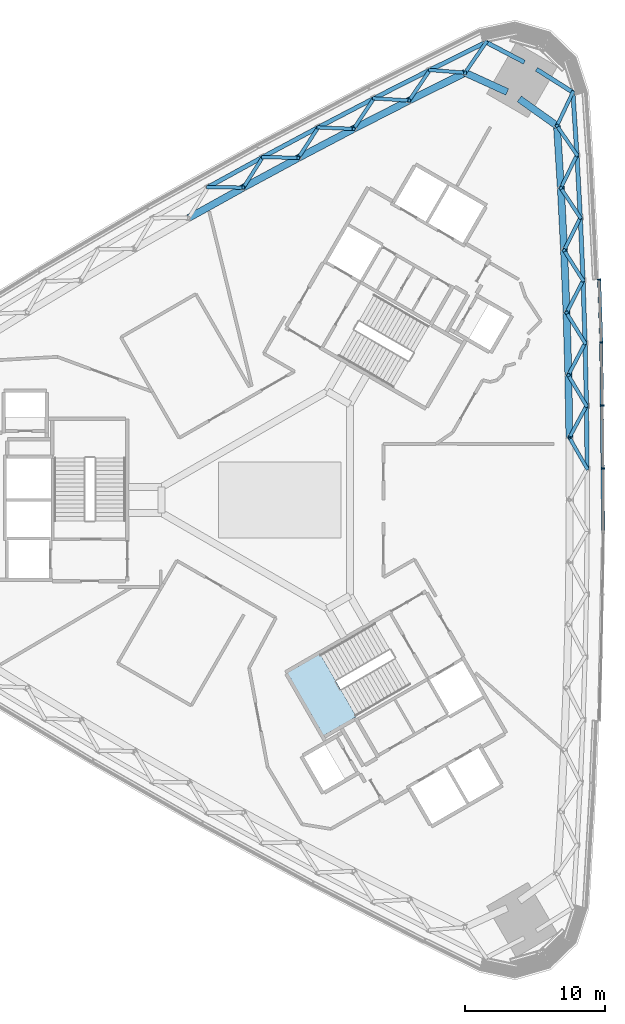
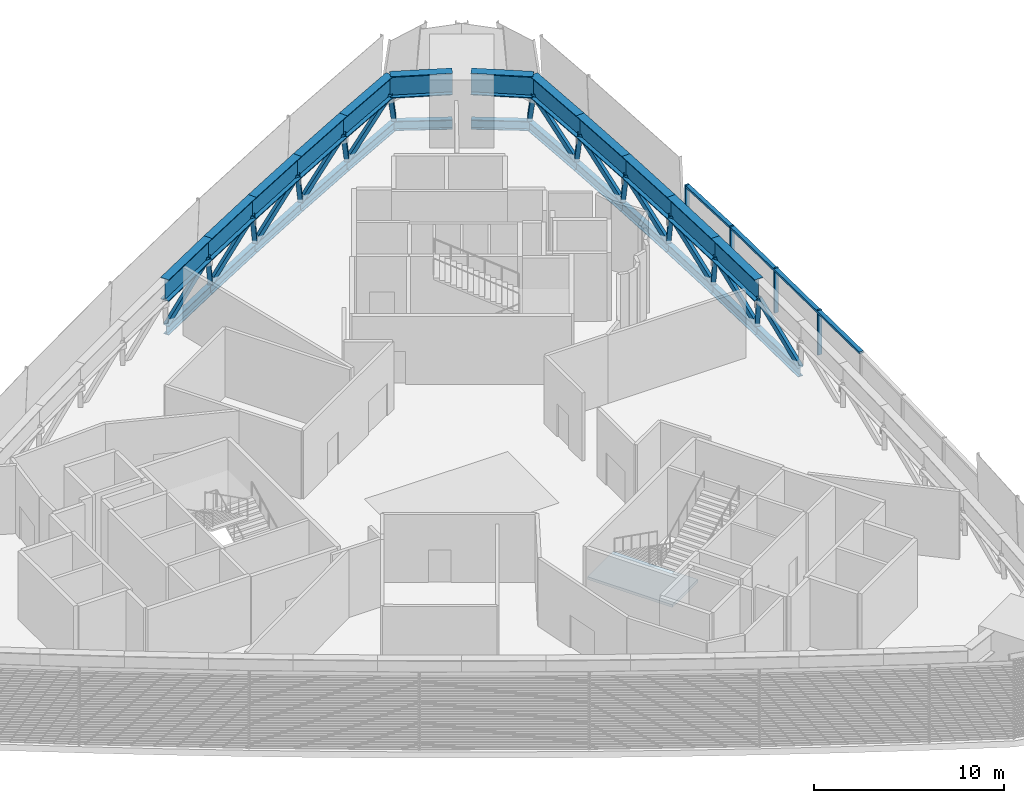
# One storey, part 4 of 19: 28 members, 25 beams, 1 slab, 2 elements without a shape of their own.
"""IFC4 building model written with IfcOpenShell, lengths in metres."""

from ifc_helpers import new_model, si_unit, direction, frame, origin, origin_2d, place, context, subcontext, project, spatial, polyline, rectangle, hollow_rectangle, i_section, outline, extrude, material, layer, layer_set, material_profile, profile_set, type_object, element, aggregate, save


model = new_model("IFC4")

# Units and contexts
model_context = context("Model", 3, precision=1e-05, world=origin(), true_north=direction((0.0, 1.0)))
body_context = subcontext(model_context, "Body", "Model", "MODEL_VIEW")
ifc_project = project(units=[si_unit("LENGTHUNIT", "METRE"), si_unit("AREAUNIT", "SQUARE_METRE"), si_unit("VOLUMEUNIT", "CUBIC_METRE"), si_unit("PLANEANGLEUNIT", "RADIAN"), si_unit("MASSUNIT", "GRAM", prefix="KILO")], contexts=[model_context])

# Site, building, storey
site_placement = place(None, origin())
site = spatial("IfcSite", under=ifc_project, at=site_placement, CompositionType="ELEMENT")
building_placement = place(site_placement, origin())
building = spatial("IfcBuilding", under=site, at=building_placement, Name="Tamra Quay Hotel Tower", CompositionType="ELEMENT")
storey_placement = place(building_placement, frame((0.0, 0.0, 74.60009765625)))
storey = spatial("IfcBuildingStorey", under=building, at=storey_placement, Name="L17", CompositionType="ELEMENT", Elevation=74.60009765625)

# Members
ifc_material_1 = material(Name="Structural steel IS 2062 E350", Category="steel")
ifc_material_profile_1 = material_profile(ifc_material_1, hollow_rectangle(XDim=0.25, YDim=0.25, WallThickness=0.010009765625, at=origin_2d()), Name="SHS 250x250x10")
ifc_profile_set_1 = profile_set([ifc_material_profile_1], Name="Structural steel IS 2062 E350")
member_type_1 = type_object("IfcMemberType", Name="BELT BRACE SHS 250x250x10 Z1", PredefinedType="BRACE", material=ifc_profile_set_1)
member_1_placement = place(storey_placement, frame((21.894287109375, 2.2353515625, -0.400146484375), z_axis=(-0.29001438183, 0.50825525863, 0.810905820923), x_axis=(-0.868550087417, -0.495601397947, 0.0)))
element("IfcMember", 1, at=member_1_placement, inside=storey, type_object=member_type_1, Name="BR-L17-014", PredefinedType="BRACE", context=body_context, shape_type="SweptSolid", body=[
    extrude(hollow_rectangle(XDim=0.25, YDim=0.25, WallThickness=0.010009765625, at=origin_2d()), origin(), (0.0, 0.0, 1.0), 4.34716796875),
])
member_2_placement = place(storey_placement, frame((21.845947265625, 6.70556640625, -0.400146484375), z_axis=(-0.278089055665, -0.518547051038, 0.808563808848), x_axis=(0.881270491387, -0.472612231126, 0.0)))
element("IfcMember", 2, at=member_2_placement, inside=storey, type_object=member_type_1, Name="BR-L17-015", PredefinedType="BRACE", context=body_context, shape_type="SweptSolid", body=[
    extrude(hollow_rectangle(XDim=0.25, YDim=0.25, WallThickness=0.010009765625, at=origin_2d()), origin(), (0.0, 0.0, 1.0), 4.35986328125),
])
member_3_placement = place(storey_placement, frame((21.845947265625, 6.70556640625, -0.400146484375), z_axis=(-0.296760826542, 0.50282911553, 0.811847210012), x_axis=(-0.861200552593, -0.508265293144, 0.0)))
element("IfcMember", 3, at=member_3_placement, inside=storey, type_object=member_type_1, Name="BR-L17-016", PredefinedType="BRACE", context=body_context, shape_type="SweptSolid", body=[
    extrude(hollow_rectangle(XDim=0.25, YDim=0.25, WallThickness=0.010009765625, at=origin_2d()), origin(), (0.0, 0.0, 1.0), 4.342041015625),
])
member_4_placement = place(storey_placement, frame((21.7490234375, 11.17431640625, -0.400146484375), z_axis=(-0.272882971631, -0.523347161941, 0.807243849083), x_axis=(0.88670135679, -0.462342626054, 0.0)))
element("IfcMember", 4, at=member_4_placement, inside=storey, type_object=member_type_1, Name="BR-L17-017", PredefinedType="BRACE", context=body_context, shape_type="SweptSolid", body=[
    extrude(hollow_rectangle(XDim=0.25, YDim=0.25, WallThickness=0.010009765625, at=origin_2d()), origin(), (0.0, 0.0, 1.0), 4.366943359375),
])
member_5_placement = place(storey_placement, frame((21.7490234375, 11.17431640625, -0.400146484375), z_axis=(-0.303951163752, 0.497318354763, 0.812581161528), x_axis=(-0.853255578319, -0.521492970295, 0.0)))
element("IfcMember", 5, at=member_5_placement, inside=storey, type_object=member_type_1, Name="BR-L17-018", PredefinedType="BRACE", context=body_context, shape_type="SweptSolid", body=[
    extrude(hollow_rectangle(XDim=0.25, YDim=0.25, WallThickness=0.010009765625, at=origin_2d()), origin(), (0.0, 0.0, 1.0), 4.338134765625),
])
member_6_placement = place(storey_placement, frame((21.60400390625, 15.642578125, -0.400146484375), z_axis=(-0.268226137414, -0.528138213153, 0.805682795532), x_axis=(0.891602412155, -0.452819101451, 0.0)))
element("IfcMember", 6, at=member_6_placement, inside=storey, type_object=member_type_1, Name="BR-L17-019", PredefinedType="BRACE", context=body_context, shape_type="SweptSolid", body=[
    extrude(hollow_rectangle(XDim=0.25, YDim=0.25, WallThickness=0.010009765625, at=origin_2d()), origin(), (0.0, 0.0, 1.0), 4.375244140625),
])
member_7_placement = place(storey_placement, frame((21.60400390625, 15.642578125, -0.400146484375), z_axis=(-0.311671830578, 0.491499831126, 0.81319652362), x_axis=(-0.844517118133, -0.535528558697, 0.0)))
element("IfcMember", 7, at=member_7_placement, inside=storey, type_object=member_type_1, Name="BR-L17-020", PredefinedType="BRACE", context=body_context, shape_type="SweptSolid", body=[
    extrude(hollow_rectangle(XDim=0.25, YDim=0.25, WallThickness=0.010009765625, at=origin_2d()), origin(), (0.0, 0.0, 1.0), 4.3349609375),
])
member_8_placement = place(storey_placement, frame((21.410400390625, 20.10888671875, -0.400146484375), z_axis=(-0.264005093933, -0.532743457848, 0.804043356106), x_axis=(0.896013686548, -0.444026433357, 0.0)))
element("IfcMember", 8, at=member_8_placement, inside=storey, type_object=member_type_1, Name="BR-L17-021", PredefinedType="BRACE", context=body_context, shape_type="SweptSolid", body=[
    extrude(hollow_rectangle(XDim=0.25, YDim=0.25, WallThickness=0.010009765625, at=origin_2d()), origin(), (0.0, 0.0, 1.0), 4.38427734375),
])
member_9_placement = place(storey_placement, frame((21.410400390625, 20.10888671875, -0.400146484375), z_axis=(-0.319796440326, 0.485470719543, 0.813663577421), x_axis=(-0.835094837295, -0.550106001352, 0.0)))
element("IfcMember", 9, at=member_9_placement, inside=storey, type_object=member_type_1, Name="BR-L17-022", PredefinedType="BRACE", context=body_context, shape_type="SweptSolid", body=[
    extrude(hollow_rectangle(XDim=0.25, YDim=0.25, WallThickness=0.010009765625, at=origin_2d()), origin(), (0.0, 0.0, 1.0), 4.33251953125),
])
member_10_placement = place(storey_placement, frame((21.168701171875, 24.572509765625, -0.400146484375), z_axis=(-0.260316277706, -0.537190559843, 0.80228532205), x_axis=(0.899905991628, -0.436083944019, 0.0)))
element("IfcMember", 10, at=member_10_placement, inside=storey, type_object=member_type_1, Name="BR-L17-023", PredefinedType="BRACE", context=body_context, shape_type="SweptSolid", body=[
    extrude(hollow_rectangle(XDim=0.25, YDim=0.25, WallThickness=0.010009765625, at=origin_2d()), origin(), (0.0, 0.0, 1.0), 4.393798828125),
])
member_11_placement = place(storey_placement, frame((21.168701171875, 24.572509765625, -0.400146484375), z_axis=(-0.328390852776, 0.479340166839, 0.813874961077), x_axis=(-0.824969227405, -0.565177648032, 0.0)))
element("IfcMember", 11, at=member_11_placement, inside=storey, type_object=member_type_1, Name="BR-L17-024", PredefinedType="BRACE", context=body_context, shape_type="SweptSolid", body=[
    extrude(hollow_rectangle(XDim=0.25, YDim=0.25, WallThickness=0.010009765625, at=origin_2d()), origin(), (0.0, 0.0, 1.0), 4.331298828125),
])
member_12_placement = place(storey_placement, frame((20.87890625, 29.033935546875, -0.400146484375), z_axis=(-0.257144319903, -0.541560682357, 0.800367931683), x_axis=(0.903340203843, -0.42892479075, 0.0)))
element("IfcMember", 12, at=member_12_placement, inside=storey, type_object=member_type_1, Name="BR-L17-025", PredefinedType="BRACE", context=body_context, shape_type="SweptSolid", body=[
    extrude(hollow_rectangle(XDim=0.25, YDim=0.25, WallThickness=0.010009765625, at=origin_2d()), origin(), (0.0, 0.0, 1.0), 4.404296875),
])
member_13_placement = place(storey_placement, frame((14.70458984375, 32.5986328125, -0.400146484375), z_axis=(-0.340449577569, -0.493491141176, 0.800350285009), x_axis=(0.823126355964, -0.567858258826, 0.0)))
element("IfcMember", 13, at=member_13_placement, inside=storey, type_object=member_type_1, Name="BR-L17-026", PredefinedType="BRACE", context=body_context, shape_type="SweptSolid", body=[
    extrude(hollow_rectangle(XDim=0.25, YDim=0.25, WallThickness=0.010009765625, at=origin_2d()), origin(), (0.0, 0.0, 1.0), 4.404541015625),
])
member_14_placement = place(storey_placement, frame((10.69580078125, 30.618896484375, -0.400146484375), z_axis=(0.579327387241, -0.044754421626, 0.813865357499), x_axis=(0.077022891976, 0.9970293246, 0.0)))
element("IfcMember", 14, at=member_14_placement, inside=storey, type_object=member_type_1, Name="BR-L17-027", PredefinedType="BRACE", context=body_context, shape_type="SweptSolid", body=[
    extrude(hollow_rectangle(XDim=0.25, YDim=0.25, WallThickness=0.010009765625, at=origin_2d()), origin(), (0.0, 0.0, 1.0), 4.331298828125),
])
member_15_placement = place(storey_placement, frame((10.69580078125, 30.618896484375, -0.400146484375), z_axis=(-0.335004707803, -0.494033315156, 0.802310992862), x_axis=(0.827656462871, -0.561235048324, 0.0)))
element("IfcMember", 15, at=member_15_placement, inside=storey, type_object=member_type_1, Name="BR-L17-028", PredefinedType="BRACE", context=body_context, shape_type="SweptSolid", body=[
    extrude(hollow_rectangle(XDim=0.25, YDim=0.25, WallThickness=0.010009765625, at=origin_2d()), origin(), (0.0, 0.0, 1.0), 4.393798828125),
])
member_16_placement = place(storey_placement, frame((6.709716796875, 28.596435546875, -0.400146484375), z_axis=(0.580316870168, -0.034205898251, 0.813672100249), x_axis=(0.058841355531, 0.998267346395, 0.0)))
element("IfcMember", 16, at=member_16_placement, inside=storey, type_object=member_type_1, Name="BR-L17-029", PredefinedType="BRACE", context=body_context, shape_type="SweptSolid", body=[
    extrude(hollow_rectangle(XDim=0.25, YDim=0.25, WallThickness=0.010009765625, at=origin_2d()), origin(), (0.0, 0.0, 1.0), 4.332275390625),
])
member_17_placement = place(storey_placement, frame((6.709716796875, 28.596435546875, -0.400146484375), z_axis=(-0.32938144953, -0.494990989835, 0.804047125912), x_axis=(0.832525482827, -0.553986751144, 0.0)))
element("IfcMember", 17, at=member_17_placement, inside=storey, type_object=member_type_1, Name="BR-L17-030", PredefinedType="BRACE", context=body_context, shape_type="SweptSolid", body=[
    extrude(hollow_rectangle(XDim=0.25, YDim=0.25, WallThickness=0.010009765625, at=origin_2d()), origin(), (0.0, 0.0, 1.0), 4.38427734375),
])
member_18_placement = place(storey_placement, frame((2.744873046875, 26.53076171875, -0.400146484375), z_axis=(0.581495429575, -0.024104604732, 0.813192494686), x_axis=(0.041417215486, 0.999141938996, 0.0)))
element("IfcMember", 18, at=member_18_placement, inside=storey, type_object=member_type_1, Name="BR-L17-031", PredefinedType="BRACE", context=body_context, shape_type="SweptSolid", body=[
    extrude(hollow_rectangle(XDim=0.25, YDim=0.25, WallThickness=0.010009765625, at=origin_2d()), origin(), (0.0, 0.0, 1.0), 4.3349609375),
])
member_19_placement = place(storey_placement, frame((2.744873046875, 26.53076171875, -0.400146484375), z_axis=(-0.323259818665, -0.496301195789, 0.805722168427), x_axis=(0.837930952009, -0.545776254215, 0.0)))
element("IfcMember", 19, at=member_19_placement, inside=storey, type_object=member_type_1, Name="BR-L17-032", PredefinedType="BRACE", context=body_context, shape_type="SweptSolid", body=[
    extrude(hollow_rectangle(XDim=0.25, YDim=0.25, WallThickness=0.010009765625, at=origin_2d()), origin(), (0.0, 0.0, 1.0), 4.375244140625),
])
member_20_placement = place(storey_placement, frame((-1.197265625, 24.422607421875, -0.400146484375), z_axis=(0.582681978095, -0.014575490856, 0.812569546235), x_axis=(0.025006664736, 0.999687284464, 0.0)))
element("IfcMember", 20, at=member_20_placement, inside=storey, type_object=member_type_1, Name="BR-L17-033", PredefinedType="BRACE", context=body_context, shape_type="SweptSolid", body=[
    extrude(hollow_rectangle(XDim=0.25, YDim=0.25, WallThickness=0.010009765625, at=origin_2d()), origin(), (0.0, 0.0, 1.0), 4.33837890625),
])
member_21_placement = place(storey_placement, frame((-1.197265625, 24.422607421875, -0.400146484375), z_axis=(-0.316818656368, -0.498009633126, 0.807225088988), x_axis=(0.843735581516, -0.536759041362, 0.0)))
element("IfcMember", 21, at=member_21_placement, inside=storey, type_object=member_type_1, Name="BR-L17-034", PredefinedType="BRACE", context=body_context, shape_type="SweptSolid", body=[
    extrude(hollow_rectangle(XDim=0.25, YDim=0.25, WallThickness=0.010009765625, at=origin_2d()), origin(), (0.0, 0.0, 1.0), 4.366943359375),
])
member_22_placement = place(storey_placement, frame((-5.11572265625, 22.27197265625, -0.400146484375), z_axis=(0.583811205804, -0.005566532734, 0.811870365078), x_axis=(0.009534383138, 0.999954546736, 0.0)))
element("IfcMember", 22, at=member_22_placement, inside=storey, type_object=member_type_1, Name="BR-L17-035", PredefinedType="BRACE", context=body_context, shape_type="SweptSolid", body=[
    extrude(hollow_rectangle(XDim=0.25, YDim=0.25, WallThickness=0.010009765625, at=origin_2d()), origin(), (0.0, 0.0, 1.0), 4.342041015625),
])

# Beams
ifc_material_profile_2 = material_profile(ifc_material_1, i_section(OverallWidth=0.304931640625, OverallDepth=0.6201171875, WebThickness=0.02099609375, FlangeThickness=0.0400390625, at=origin_2d()), Name="WPB 600x300x285")
ifc_profile_set_2 = profile_set([ifc_material_profile_2], Name="Structural steel IS 2062 E350")
beam_type_1 = type_object("IfcBeamType", Name="BELT CHORD WPB 600x300x285 Z1", PredefinedType="BEAM", material=ifc_profile_set_2)
beam_1_placement = place(storey_placement, frame((21.894287109375, 2.2353515625, -0.710205078125), z_axis=(-0.010813130759, 0.999941536393, 0.0), x_axis=(-0.999941536393, -0.010813130759, 0.0)))
element("IfcBeam", 23, at=beam_1_placement, inside=storey, type_object=beam_type_1, Name="BM-CHB-L17-007", PredefinedType="BEAM", context=body_context, shape_type="SweptSolid", body=[
    extrude(i_section(OverallWidth=0.304931640625, OverallDepth=0.6201171875, WebThickness=0.02099609375, FlangeThickness=0.0400390625, at=origin_2d()), origin(), (0.0, 0.0, 1.0), 4.470458984375),
])
beam_2_placement = place(storey_placement, frame((21.845947265625, 6.70556640625, -0.710205078125), z_axis=(-0.021684148485, 0.999764871209, 0.0), x_axis=(-0.999764871209, -0.021684148485, 0.0)))
element("IfcBeam", 24, at=beam_2_placement, inside=storey, type_object=beam_type_1, Name="BM-CHB-L17-008", PredefinedType="BEAM", context=body_context, shape_type="SweptSolid", body=[
    extrude(i_section(OverallWidth=0.304931640625, OverallDepth=0.6201171875, WebThickness=0.02099609375, FlangeThickness=0.0400390625, at=origin_2d()), origin(), (0.0, 0.0, 1.0), 4.4697265625),
])
beam_3_placement = place(storey_placement, frame((21.7490234375, 11.17431640625, -0.710205078125), z_axis=(-0.032438389234, 0.999473736976, 0.0), x_axis=(-0.999473736976, -0.032438389234, 0.0)))
element("IfcBeam", 25, at=beam_3_placement, inside=storey, type_object=beam_type_1, Name="BM-CHB-L17-009", PredefinedType="BEAM", context=body_context, shape_type="SweptSolid", body=[
    extrude(i_section(OverallWidth=0.304931640625, OverallDepth=0.6201171875, WebThickness=0.02099609375, FlangeThickness=0.0400390625, at=origin_2d()), origin(), (0.0, 0.0, 1.0), 4.470703125),
])
beam_4_placement = place(storey_placement, frame((21.60400390625, 15.642578125, -0.710205078125), z_axis=(-0.043306877716, 0.999061817078, 0.0), x_axis=(-0.999061817078, -0.043306877716, 0.0)))
element("IfcBeam", 26, at=beam_4_placement, inside=storey, type_object=beam_type_1, Name="BM-CHB-L17-010", PredefinedType="BEAM", context=body_context, shape_type="SweptSolid", body=[
    extrude(i_section(OverallWidth=0.304931640625, OverallDepth=0.6201171875, WebThickness=0.02099609375, FlangeThickness=0.0400390625, at=origin_2d()), origin(), (0.0, 0.0, 1.0), 4.470458984375),
])
beam_5_placement = place(storey_placement, frame((21.410400390625, 20.10888671875, -0.710205078125), z_axis=(-0.054069452794, 0.998537177212, 0.0), x_axis=(-0.998537177212, -0.054069452794, 0.0)))
element("IfcBeam", 27, at=beam_5_placement, inside=storey, type_object=beam_type_1, Name="BM-CHB-L17-011", PredefinedType="BEAM", context=body_context, shape_type="SweptSolid", body=[
    extrude(i_section(OverallWidth=0.304931640625, OverallDepth=0.6201171875, WebThickness=0.02099609375, FlangeThickness=0.0400390625, at=origin_2d()), origin(), (0.0, 0.0, 1.0), 4.47021484375),
])
beam_6_placement = place(storey_placement, frame((21.168701171875, 24.572509765625, -0.710205078125), z_axis=(-0.064819075057, 0.997897032518, 0.0), x_axis=(-0.997897032518, -0.064819075057, 0.0)))
element("IfcBeam", 28, at=beam_6_placement, inside=storey, type_object=beam_type_1, Name="BM-CHB-L17-012", PredefinedType="BEAM", context=body_context, shape_type="SweptSolid", body=[
    extrude(i_section(OverallWidth=0.304931640625, OverallDepth=0.6201171875, WebThickness=0.02099609375, FlangeThickness=0.0400390625, at=origin_2d()), origin(), (0.0, 0.0, 1.0), 4.470947265625),
])
beam_7_placement = place(storey_placement, frame((20.87890625, 29.033935546875, -0.710205078125), z_axis=(-0.844953339832, 0.534840026089, 0.0), x_axis=(-0.534840026089, -0.844953339832, 0.0)))
element("IfcBeam", 29, at=beam_7_placement, inside=storey, type_object=beam_type_1, Name="BM-CHB-L17-013", PredefinedType="BEAM", context=body_context, shape_type="SweptSolid", body=[
    extrude(i_section(OverallWidth=0.304931640625, OverallDepth=0.6201171875, WebThickness=0.02099609375, FlangeThickness=0.0400390625, at=origin_2d()), origin(), (0.0, 0.0, 1.0), 3.06787109375),
])
beam_8_placement = place(storey_placement, frame((17.421630859375, 31.17431640625, -0.710205078125), z_axis=(-0.885683510447, 0.464289477936, 0.0), x_axis=(-0.464289477936, -0.885683510447, 0.0)))
element("IfcBeam", 30, at=beam_8_placement, inside=storey, type_object=beam_type_1, Name="BM-CHB-L17-014", PredefinedType="BEAM", context=body_context, shape_type="SweptSolid", body=[
    extrude(i_section(OverallWidth=0.304931640625, OverallDepth=0.6201171875, WebThickness=0.02099609375, FlangeThickness=0.0400390625, at=origin_2d()), origin(), (0.0, 0.0, 1.0), 3.067626953125),
])
beam_9_placement = place(storey_placement, frame((14.70458984375, 32.5986328125, -0.710205078125), z_axis=(-0.896622370987, -0.442796029618, 0.0), x_axis=(0.442796029618, -0.896622370987, 0.0)))
element("IfcBeam", 31, at=beam_9_placement, inside=storey, type_object=beam_type_1, Name="BM-CHB-L17-015", PredefinedType="BEAM", context=body_context, shape_type="SweptSolid", body=[
    extrude(i_section(OverallWidth=0.304931640625, OverallDepth=0.6201171875, WebThickness=0.02099609375, FlangeThickness=0.0400390625, at=origin_2d()), origin(), (0.0, 0.0, 1.0), 4.470947265625),
])
beam_10_placement = place(storey_placement, frame((10.69580078125, 30.618896484375, -0.710205078125), z_axis=(-0.891779013779, -0.452471204149, 0.0), x_axis=(0.452471204149, -0.891779013779, 0.0)))
element("IfcBeam", 32, at=beam_10_placement, inside=storey, type_object=beam_type_1, Name="BM-CHB-L17-016", PredefinedType="BEAM", context=body_context, shape_type="SweptSolid", body=[
    extrude(i_section(OverallWidth=0.304931640625, OverallDepth=0.6201171875, WebThickness=0.02099609375, FlangeThickness=0.0400390625, at=origin_2d()), origin(), (0.0, 0.0, 1.0), 4.4697265625),
])
beam_11_placement = place(storey_placement, frame((6.709716796875, 28.596435546875, -0.710205078125), z_axis=(-0.886854414892, -0.462048965788, 0.0), x_axis=(0.462048965788, -0.886854414892, 0.0)))
element("IfcBeam", 33, at=beam_11_placement, inside=storey, type_object=beam_type_1, Name="BM-CHB-L17-017", PredefinedType="BEAM", context=body_context, shape_type="SweptSolid", body=[
    extrude(i_section(OverallWidth=0.304931640625, OverallDepth=0.6201171875, WebThickness=0.02099609375, FlangeThickness=0.0400390625, at=origin_2d()), origin(), (0.0, 0.0, 1.0), 4.470703125),
])
beam_12_placement = place(storey_placement, frame((2.744873046875, 26.53076171875, -0.710205078125), z_axis=(-0.881824782684, -0.471577196908, 0.0), x_axis=(0.471577196908, -0.881824782684, 0.0)))
element("IfcBeam", 34, at=beam_12_placement, inside=storey, type_object=beam_type_1, Name="BM-CHB-L17-018", PredefinedType="BEAM", context=body_context, shape_type="SweptSolid", body=[
    extrude(i_section(OverallWidth=0.304931640625, OverallDepth=0.6201171875, WebThickness=0.02099609375, FlangeThickness=0.0400390625, at=origin_2d()), origin(), (0.0, 0.0, 1.0), 4.470458984375),
])
beam_13_placement = place(storey_placement, frame((-1.197265625, 24.422607421875, -0.710205078125), z_axis=(-0.876642246972, -0.481142775924, 0.0), x_axis=(0.481142775924, -0.876642246972, 0.0)))
element("IfcBeam", 35, at=beam_13_placement, inside=storey, type_object=beam_type_1, Name="BM-CHB-L17-019", PredefinedType="BEAM", context=body_context, shape_type="SweptSolid", body=[
    extrude(i_section(OverallWidth=0.304931640625, OverallDepth=0.6201171875, WebThickness=0.02099609375, FlangeThickness=0.0400390625, at=origin_2d()), origin(), (0.0, 0.0, 1.0), 4.4697265625),
])
ifc_material_profile_3 = material_profile(ifc_material_1, i_section(OverallWidth=0.5, OverallDepth=1.39990234375, WebThickness=0.02490234375, FlangeThickness=0.050048828125, at=origin_2d()), Name="WPG 1400x500x25x50")
ifc_profile_set_3 = profile_set([ifc_material_profile_3], Name="Structural steel IS 2062 E350")
beam_type_2 = type_object("IfcBeamType", Name="BELT TOP CHORD WPG 1400x500x25x50 Z1", PredefinedType="USERDEFINED", material=ifc_profile_set_3)
beam_14_placement = place(storey_placement, frame((20.633544921875, 4.44482421875, 3.6748046875), z_axis=(-0.017137514712, 0.999853142011, 0.0), x_axis=(-0.999853142011, -0.017137514712, 0.0)))
element("IfcBeam", 36, at=beam_14_placement, inside=storey, type_object=beam_type_2, Name="BM-CHT-L17-007", ObjectType="TRANSFER GIRDER", PredefinedType="USERDEFINED", context=body_context, shape_type="SweptSolid", body=[
    extrude(i_section(OverallWidth=0.5, OverallDepth=1.39990234375, WebThickness=0.02490234375, FlangeThickness=0.050048828125, at=origin_2d()), origin(), (0.0, 0.0, 1.0), 4.44482421875),
])
beam_15_placement = place(storey_placement, frame((20.557373046875, 8.888916015625, 3.6748046875), z_axis=(-0.02856291012, 0.999591996849, 0.0), x_axis=(-0.999591996849, -0.02856291012, 0.0)))
element("IfcBeam", 37, at=beam_15_placement, inside=storey, type_object=beam_type_2, Name="BM-CHT-L17-008", ObjectType="TRANSFER GIRDER", PredefinedType="USERDEFINED", context=body_context, shape_type="SweptSolid", body=[
    extrude(i_section(OverallWidth=0.5, OverallDepth=1.39990234375, WebThickness=0.02490234375, FlangeThickness=0.050048828125, at=origin_2d()), origin(), (0.0, 0.0, 1.0), 4.444580078125),
])
beam_16_placement = place(storey_placement, frame((20.430419921875, 13.331787109375, 3.6748046875), z_axis=(-0.039930748728, 0.99920244961, 0.0), x_axis=(-0.99920244961, -0.039930748728, 0.0)))
element("IfcBeam", 38, at=beam_16_placement, inside=storey, type_object=beam_type_2, Name="BM-CHT-L17-009", ObjectType="TRANSFER GIRDER", PredefinedType="USERDEFINED", context=body_context, shape_type="SweptSolid", body=[
    extrude(i_section(OverallWidth=0.5, OverallDepth=1.39990234375, WebThickness=0.02490234375, FlangeThickness=0.050048828125, at=origin_2d()), origin(), (0.0, 0.0, 1.0), 4.445068359375),
])
beam_17_placement = place(storey_placement, frame((20.2529296875, 17.773193359375, 3.6748046875), z_axis=(-0.051301842631, 0.998683193482, 0.0), x_axis=(-0.998683193482, -0.051301842631, 0.0)))
element("IfcBeam", 39, at=beam_17_placement, inside=storey, type_object=beam_type_2, Name="BM-CHT-L17-010", ObjectType="TRANSFER GIRDER", PredefinedType="USERDEFINED", context=body_context, shape_type="SweptSolid", body=[
    extrude(i_section(OverallWidth=0.5, OverallDepth=1.39990234375, WebThickness=0.02490234375, FlangeThickness=0.050048828125, at=origin_2d()), origin(), (0.0, 0.0, 1.0), 4.44482421875),
])
beam_18_placement = place(storey_placement, frame((20.02490234375, 22.212158203125, 3.6748046875), z_axis=(-0.062665499823, 0.99803458614, 0.0), x_axis=(-0.99803458614, -0.062665499823, 0.0)))
element("IfcBeam", 40, at=beam_18_placement, inside=storey, type_object=beam_type_2, Name="BM-CHT-L17-011", ObjectType="TRANSFER GIRDER", PredefinedType="USERDEFINED", context=body_context, shape_type="SweptSolid", body=[
    extrude(i_section(OverallWidth=0.5, OverallDepth=1.39990234375, WebThickness=0.02490234375, FlangeThickness=0.050048828125, at=origin_2d()), origin(), (0.0, 0.0, 1.0), 4.4453125),
])
beam_19_placement = place(storey_placement, frame((19.746337890625, 26.648681640625, 3.6748046875), z_axis=(-0.814348949885, 0.580375557567, 0.0), x_axis=(-0.580375557567, -0.814348949885, 0.0)))
element("IfcBeam", 41, at=beam_19_placement, inside=storey, type_object=beam_type_2, Name="BM-CHT-L17-012", ObjectType="TRANSFER GIRDER", PredefinedType="USERDEFINED", context=body_context, shape_type="SweptSolid", body=[
    extrude(i_section(OverallWidth=0.5, OverallDepth=1.39990234375, WebThickness=0.02490234375, FlangeThickness=0.050048828125, at=origin_2d()), origin(), (0.0, 0.0, 1.0), 3.294189453125),
])
beam_20_placement = place(storey_placement, frame((16.202392578125, 29.057861328125, 3.6748046875), z_axis=(-0.909820030099, 0.415003027495, 0.0), x_axis=(-0.415003027495, -0.909820030099, 0.0)))
element("IfcBeam", 42, at=beam_20_placement, inside=storey, type_object=beam_type_2, Name="BM-CHT-L17-013", ObjectType="TRANSFER GIRDER", PredefinedType="USERDEFINED", context=body_context, shape_type="SweptSolid", body=[
    extrude(i_section(OverallWidth=0.5, OverallDepth=1.39990234375, WebThickness=0.02490234375, FlangeThickness=0.050048828125, at=origin_2d()), origin(), (0.0, 0.0, 1.0), 3.29443359375),
])
beam_21_placement = place(storey_placement, frame((13.205078125, 30.425048828125, 3.6748046875), z_axis=(-0.895665054819, -0.444729254239, 0.0), x_axis=(0.444729254239, -0.895665054819, 0.0)))
element("IfcBeam", 43, at=beam_21_placement, inside=storey, type_object=beam_type_2, Name="BM-CHT-L17-014", ObjectType="TRANSFER GIRDER", PredefinedType="USERDEFINED", context=body_context, shape_type="SweptSolid", body=[
    extrude(i_section(OverallWidth=0.5, OverallDepth=1.39990234375, WebThickness=0.02490234375, FlangeThickness=0.050048828125, at=origin_2d()), origin(), (0.0, 0.0, 1.0), 4.445068359375),
])
for number, where, z_axis, x_axis, name in (
    (44, (9.223876953125, 28.4482421875, 3.6748046875), (-0.890538040602, -0.454908780131, 0.0), (0.454908780131, -0.890538040602, 0.0), "BM-CHT-L17-015"),
    (45, (5.265625, 26.42626953125, 3.6748046875), (-0.885306332423, -0.4650082771, 0.0), (0.4650082771, -0.885306332423, 0.0), "BM-CHT-L17-016"),
):
    element("IfcBeam", number, at=place(storey_placement, frame(where, z_axis=z_axis, x_axis=x_axis)), inside=storey, type_object=beam_type_2, Name=name, ObjectType="TRANSFER GIRDER", PredefinedType="USERDEFINED", context=body_context, shape_type="SweptSolid", body=[
        extrude(i_section(OverallWidth=0.5, OverallDepth=1.39990234375, WebThickness=0.02490234375, FlangeThickness=0.050048828125, at=origin_2d()), origin(), (0.0, 0.0, 1.0), 4.44482421875),
    ])
beam_22_placement = place(storey_placement, frame((1.33056640625, 24.359375, 3.6748046875), z_axis=(-0.879959126685, -0.475049403077, 0.0), x_axis=(0.475049403077, -0.879959126685, 0.0)))
element("IfcBeam", 46, at=beam_22_placement, inside=storey, type_object=beam_type_2, Name="BM-CHT-L17-017", ObjectType="TRANSFER GIRDER", PredefinedType="USERDEFINED", context=body_context, shape_type="SweptSolid", body=[
    extrude(i_section(OverallWidth=0.5, OverallDepth=1.39990234375, WebThickness=0.02490234375, FlangeThickness=0.050048828125, at=origin_2d()), origin(), (0.0, 0.0, 1.0), 4.445068359375),
])
beam_23_placement = place(storey_placement, frame((-2.580810546875, 22.247802734375, 3.6748046875), z_axis=(-0.874447303587, -0.485120514151, 0.0), x_axis=(0.485120514151, -0.874447303587, 0.0)))
element("IfcBeam", 47, at=beam_23_placement, inside=storey, type_object=beam_type_2, Name="BM-CHT-L17-018", ObjectType="TRANSFER GIRDER", PredefinedType="USERDEFINED", context=body_context, shape_type="SweptSolid", body=[
    extrude(i_section(OverallWidth=0.5, OverallDepth=1.39990234375, WebThickness=0.02490234375, FlangeThickness=0.050048828125, at=origin_2d()), origin(), (0.0, 0.0, 1.0), 4.44482421875),
])

# Curtain wall, members
ifc_material_2 = material(Name="Aluminium 6063 anodised dark grey", Category="aluminium")
curtain_wall_type = type_object("IfcCurtainWallType", Name="CW1 CURTAIN WALL", PredefinedType="NOTDEFINED", material=ifc_material_2)
curtain_wall_placement = place(storey_placement, origin())
curtain_wall = element("IfcCurtainWall", 48, at=curtain_wall_placement, inside=storey, type_object=curtain_wall_type, Name="CW1 east face L17", PredefinedType="NOTDEFINED")
ifc_material_profile_4 = material_profile(ifc_material_2, rectangle(XDim=0.239990234375, YDim=0.10009765625, at=origin_2d()), Name="MULLION 100X240")
ifc_profile_set_4 = profile_set([ifc_material_profile_4], Name="Aluminium 6063 anodised dark grey")
member_type_2 = type_object("IfcMemberType", Name="MULLION CW1 Z1", PredefinedType="MULLION", material=ifc_profile_set_4)
member_23_placement = place(storey_placement, frame((23.04443359375, 2.241455078125, 0.0), z_axis=(0.0, 0.0, 1.0), x_axis=(0.999985320124, 0.005418444037, 0.0)))
member_23 = element("IfcMember", 49, at=member_23_placement, type_object=member_type_2, Name="CW1 mullion L17.E.5", PredefinedType="MULLION", context=body_context, shape_type="SweptSolid", body=[
    extrude(rectangle(XDim=0.239990234375, YDim=0.10009765625, at=origin_2d()), origin(), (0.0, 0.0, 1.0), 2.875),
])
member_24_placement = place(storey_placement, frame((22.995849609375, 6.723876953125, 0.0), z_axis=(0.0, 0.0, 1.0), x_axis=(0.999868000579, 0.016247504977, 0.0)))
member_24 = element("IfcMember", 50, at=member_24_placement, type_object=member_type_2, Name="CW1 mullion L17.E.6", PredefinedType="MULLION", context=body_context, shape_type="SweptSolid", body=[
    extrude(rectangle(XDim=0.239990234375, YDim=0.10009765625, at=origin_2d()), origin(), (0.0, 0.0, 1.0), 2.875),
])
member_25_placement = place(storey_placement, frame((22.898681640625, 11.205810546875, 0.0), z_axis=(0.0, 0.0, 1.0), x_axis=(0.999633632769, 0.027066588932, 0.0)))
member_25 = element("IfcMember", 51, at=member_25_placement, type_object=member_type_2, Name="CW1 mullion L17.E.7", PredefinedType="MULLION", context=body_context, shape_type="SweptSolid", body=[
    extrude(rectangle(XDim=0.239990234375, YDim=0.10009765625, at=origin_2d()), origin(), (0.0, 0.0, 1.0), 2.875),
])
member_26_placement = place(storey_placement, frame((22.753173828125, 15.68603515625, 0.0), z_axis=(0.0, 0.0, 1.0), x_axis=(0.999282260669, 0.03788091224, 0.0)))
member_26 = element("IfcMember", 52, at=member_26_placement, type_object=member_type_2, Name="CW1 mullion L17.E.8", PredefinedType="MULLION", context=body_context, shape_type="SweptSolid", body=[
    extrude(rectangle(XDim=0.239990234375, YDim=0.10009765625, at=origin_2d()), origin(), (0.0, 0.0, 1.0), 2.875),
])
ifc_material_profile_5 = material_profile(ifc_material_2, rectangle(XDim=0.239990234375, YDim=0.139892578125, at=origin_2d()), Name="TRANSOM 240X140")
ifc_profile_set_5 = profile_set([ifc_material_profile_5], Name="Aluminium 6063 anodised dark grey")
member_type_3 = type_object("IfcMemberType", Name="TRANSOM CW1 Z1", PredefinedType="USERDEFINED", material=ifc_profile_set_5)
member_27_placement = place(storey_placement, frame((23.04443359375, -2.19140625, 2.804931640625), z_axis=(-0.010846261538, 0.999941177575, 0.0), x_axis=(-0.999941177575, -0.010846261538, 0.0)))
member_27 = element("IfcMember", 53, at=member_27_placement, type_object=member_type_3, Name="CW1 transom L17.E.4", ObjectType="TRANSOM", PredefinedType="USERDEFINED", context=body_context, shape_type="SweptSolid", body=[
    extrude(rectangle(XDim=0.239990234375, YDim=0.139892578125, at=origin_2d()), origin(), (0.0, 0.0, 1.0), 13.347900390625),
])
member_28_placement = place(storey_placement, frame((22.89697265625, 11.255859375, 2.804931640625), z_axis=(-0.032476450121, 0.999472500966, 0.0), x_axis=(-0.999472500966, -0.032476450121, 0.0)))
member_28 = element("IfcMember", 54, at=member_28_placement, type_object=member_type_3, Name="CW1 transom L17.E.7", ObjectType="TRANSOM", PredefinedType="USERDEFINED", context=body_context, shape_type="SweptSolid", body=[
    extrude(rectangle(XDim=0.239990234375, YDim=0.139892578125, at=origin_2d()), origin(), (0.0, 0.0, 1.0), 4.382568359375),
])
aggregate(curtain_wall, [member_27, member_23, member_24, member_25, member_28, member_26])

# Stair, slab
ifc_material_3 = material(Name="Exit stair 2200 32 risers 150.0 going 299")
stair_type = type_object("IfcStairType", Name="Exit stair 2200 32 risers 150.0 going 299", PredefinedType="HALF_TURN_STAIR", material=ifc_material_3)
stair_placement = place(storey_placement, origin())
stair = element("IfcStair", 55, at=stair_placement, inside=storey, type_object=stair_type, Name="L17 Exit stair ST2", PredefinedType="HALF_TURN_STAIR")
ifc_material_4 = material(Name="Concrete M70", Category="concrete")
ifc_layer = layer(ifc_material_4, 0.175048828125)
ifc_layer_set = layer_set([ifc_layer], Name="Concrete M70 stair landing 180")
slab_type = type_object("IfcSlabType", Name="Concrete M70 stair landing 180", PredefinedType="LANDING", material=ifc_layer_set)
slab_placement = place(storey_placement, frame((0.0, 0.0, 2.224853515625)))
slab = element("IfcSlab", 56, at=slab_placement, type_object=slab_type, Name="ST2 landing 1", PredefinedType="LANDING", context=body_context, shape_type="SweptSolid", body=[
    extrude(outline(polyline([(2.881103515625, -10.960205078125), (0.547119140625, -12.3076171875), (3.126708984375, -16.775390625), (5.460693359375, -15.427978515625), (2.881103515625, -10.960205078125)])), origin(), (0.0, 0.0, 1.0), 0.175048828125),
])
aggregate(stair, [slab])

save(model, "model.ifc")
